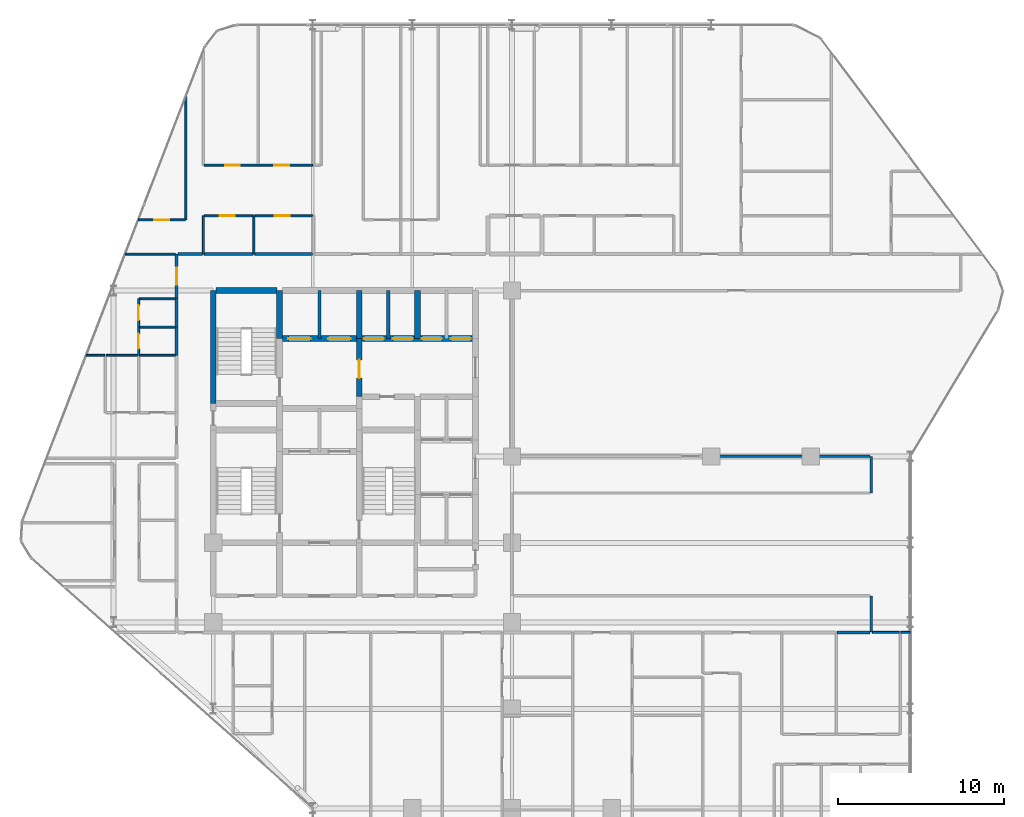
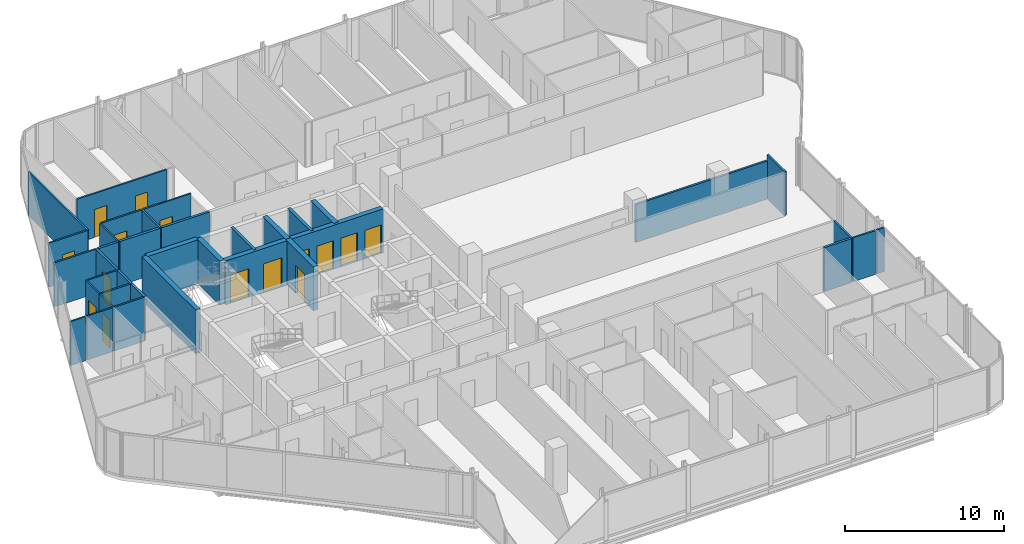
# One storey, part 27 of 30: 36 walls, 15 doors, 15 openings.
"""IFC4 building model written with IfcOpenShell, lengths in metres."""

from ifc_helpers import new_model, si_unit, direction, frame, frame_2d, origin, place, context, subcontext, project, spatial, rectangle, extrude, material, layer, layer_set, type_object, element, fill, save


model = new_model("IFC4")

# Units and contexts
model_context = context("Model", 3, precision=1e-05, world=origin(), true_north=direction((0.0, 1.0)))
body_context = subcontext(model_context, "Body", "Model", "MODEL_VIEW")
ifc_project = project(units=[si_unit("LENGTHUNIT", "METRE"), si_unit("AREAUNIT", "SQUARE_METRE"), si_unit("VOLUMEUNIT", "CUBIC_METRE"), si_unit("PLANEANGLEUNIT", "RADIAN"), si_unit("MASSUNIT", "GRAM", prefix="KILO")], contexts=[model_context])

# Site, building, storey
site_placement = place(None, origin())
site = spatial("IfcSite", under=ifc_project, at=site_placement, CompositionType="ELEMENT")
building_placement = place(site_placement, origin())
building = spatial("IfcBuilding", under=site, at=building_placement, Name="Keshet Zoharim Tower", CompositionType="ELEMENT")
storey_placement = place(building_placement, frame((0.0, 0.0, 113.10009765625)))
storey = spatial("IfcBuildingStorey", under=building, at=storey_placement, Name="L27", CompositionType="ELEMENT", Elevation=113.10009765625)

# Walls
ifc_material_1 = material(Name="Gypsum Plasterboard", Category="gypsum")
ifc_layer_1 = layer(ifc_material_1, 0.14990234375)
ifc_layer_set_1 = layer_set([ifc_layer_1], Name="Gypsum Plasterboard")
wall_type_1 = type_object("IfcWallType", Name="WL-CLIN-150", PredefinedType="STANDARD", material=ifc_layer_set_1)
wall_1_placement = place(storey_placement, frame((54.64990234375, 17.31005859375, 0.0), z_axis=(0.0, 0.0, 1.0), x_axis=(0.0, 1.0, 0.0)))
element("IfcWall", 1, at=wall_1_placement, inside=storey, type_object=wall_type_1, Name="L27 Interior Wall 109", PredefinedType="STANDARD", context=body_context, shape_type="SweptSolid", body=[
    extrude(rectangle(XDim=2.18994140625, YDim=0.14990234375, at=frame_2d((1.094970703125, 0.0))), origin(), (0.0, 0.0, 1.0), 3.385009765625),
])
wall_2_placement = place(storey_placement, frame((54.64990234375, 25.699951171875, 0.0), z_axis=(0.0, 0.0, 1.0), x_axis=(0.0, 1.0, 0.0)))
element("IfcWall", 2, at=wall_2_placement, inside=storey, type_object=wall_type_1, Name="L27 Interior Wall 110", PredefinedType="STANDARD", context=body_context, shape_type="SweptSolid", body=[
    extrude(rectangle(XDim=2.199951171875, YDim=0.14990234375, at=frame_2d((1.10009765625, 0.0))), origin(), (0.0, 0.0, 1.0), 3.385009765625),
])
wall_3_placement = place(storey_placement, frame((45.0, 27.89990234375, 0.0), z_axis=(0.0, 0.0, 1.0), x_axis=(1.0, 0.0, 0.0)))
element("IfcWall", 3, at=wall_3_placement, inside=storey, type_object=wall_type_1, Name="L27 Interior Wall 164 Part 2", PredefinedType="STANDARD", context=body_context, shape_type="SweptSolid", body=[
    extrude(rectangle(XDim=9.580078125, YDim=0.14990234375, at=frame_2d((4.7900390625, 0.0))), origin(), (0.0, 0.0, 1.0), 2.934814453125),
])
ifc_material_2 = material(Name="Concrete C60/75", Category="concrete")
ifc_layer_2 = layer(ifc_material_2, 0.35009765625)
ifc_layer_set_2 = layer_set([ifc_layer_2], Name="Concrete C60/75")
wall_type_2 = type_object("IfcWallType", Name="WL-CORE-350", PredefinedType="SHEAR", material=ifc_layer_set_2)
wall_4_placement = place(storey_placement, frame((15.0, 31.10009765625, 0.0), z_axis=(0.0, 0.0, 1.0), x_axis=(0.0, 1.0, 0.0)))
element("IfcWall", 4, at=wall_4_placement, inside=storey, type_object=wall_type_2, Name="L27 Core Shear Wall 022", PredefinedType="SHEAR", context=body_context, shape_type="SweptSolid", body=[
    extrude(rectangle(XDim=6.7998046875, YDim=0.35009765625, at=frame_2d((3.39990234375, 0.0))), origin(), (0.0, 0.0, 1.0), 3.385009765625),
])
wall_5_placement = place(storey_placement, frame((19.0, 35.0, 0.0), z_axis=(0.0, 0.0, 1.0), x_axis=(0.0, 1.0, 0.0)))
element("IfcWall", 5, at=wall_5_placement, inside=storey, type_object=wall_type_2, Name="L27 Core Shear Wall 033", PredefinedType="SHEAR", context=body_context, shape_type="SweptSolid", body=[
    extrude(rectangle(XDim=2.89990234375, YDim=0.35009765625, at=frame_2d((1.449951171875, 0.0))), origin(), (0.0, 0.0, 1.0), 3.385009765625),
])

# Wall, opening, door
wall_6_placement = place(storey_placement, frame((23.800048828125, 31.5, 0.0), z_axis=(0.0, 0.0, 1.0), x_axis=(0.0, 1.0, 0.0)))
wall_6 = element("IfcWall", 6, at=wall_6_placement, inside=storey, type_object=wall_type_2, Name="L27 Core Shear Wall 045", PredefinedType="SHEAR", context=body_context, shape_type="SweptSolid", body=[
    extrude(rectangle(XDim=3.5, YDim=0.35009765625, at=frame_2d((1.75, 0.0))), origin(), (0.0, 0.0, 1.0), 3.385009765625),
])
opening_1_placement = place(wall_6_placement, frame((1.126953125, 0.0, 0.0)))
opening_1 = element("IfcOpeningElement", 7, at=opening_1_placement, cuts=wall_6, Name="Opening D-F611", PredefinedType="OPENING", context=body_context, shape_type="SweptSolid", body=[
    extrude(rectangle(XDim=1.10009765625, YDim=2.14990234375, at=frame_2d((0.550048828125, 1.074951171875))), frame((0.0, 0.18505859375, 0.0), z_axis=(0.0, -1.0, 0.0), x_axis=(1.0, 0.0, 0.0)), (0.0, 0.0, 1.0), 0.3701171875),
])
ifc_material_3 = material(Name="Hardwood Timber", Category="wood")
door_type_1 = type_object("IfcDoorType", Name="DR-FD60-110", OperationType="NOTDEFINED", PredefinedType="DOOR", material=ifc_material_3)
door_1_placement = place(opening_1_placement, origin())
door_1 = element("IfcDoor", 8, at=door_1_placement, inside=storey, type_object=door_type_1, Name="L27 Firefighting Lobby Fire Door", OperationType="SINGLE_SWING_RIGHT", OverallHeight=2.14990234375, OverallWidth=1.10009765625, PredefinedType="DOOR", context=body_context, shape_type="SweptSolid", body=[
    extrude(rectangle(XDim=1.10009765625, YDim=2.14990234375, at=frame_2d((0.550048828125, 1.074951171875))), frame((0.0, 0.02490234375, 0.0), z_axis=(0.0, -1.0, 0.0), x_axis=(1.0, 0.0, 0.0)), (0.0, 0.0, 1.0), 0.050048828125),
])
fill(opening_1, door_1)

# Walls
for number, where, z_axis, x_axis, name in (
    (9, (23.800048828125, 35.0, 0.0), (0.0, 0.0, 1.0), (0.0, 1.0, 0.0), "L27 Core Shear Wall 046"),
    (10, (27.300048828125, 35.0, 0.0), (0.0, 0.0, 1.0), (0.0, 1.0, 0.0), "L27 Core Shear Wall 058"),
):
    element("IfcWall", number, at=place(storey_placement, frame(where, z_axis=z_axis, x_axis=x_axis)), inside=storey, type_object=wall_type_2, Name=name, PredefinedType="SHEAR", context=body_context, shape_type="SweptSolid", body=[
        extrude(rectangle(XDim=2.89990234375, YDim=0.35009765625, at=frame_2d((1.449951171875, 0.0))), origin(), (0.0, 0.0, 1.0), 3.385009765625),
    ])

# Wall, openings, doors
wall_7_placement = place(storey_placement, frame((19.159912109375, 35.0, 0.0), z_axis=(0.0, 0.0, 1.0), x_axis=(1.0, 0.0, 0.0)))
wall_7 = element("IfcWall", 11, at=wall_7_placement, inside=storey, type_object=wall_type_2, Name="L27 Core Shear Wall 178", PredefinedType="SHEAR", context=body_context, shape_type="SweptSolid", body=[
    extrude(rectangle(XDim=11.47998046875, YDim=0.35009765625, at=frame_2d((5.739990234375, 0.0))), origin(), (0.0, 0.0, 1.0), 3.385009765625),
])
opening_2_placement = place(wall_7_placement, frame((0.364990234375, 0.0, 0.0)))
opening_2 = element("IfcOpeningElement", 12, at=opening_2_placement, cuts=wall_7, Name="Opening LD-02", PredefinedType="OPENING", context=body_context, shape_type="SweptSolid", body=[
    extrude(rectangle(XDim=1.35009765625, YDim=2.199951171875, at=frame_2d((0.675048828125, 1.10009765625))), frame((0.0, 0.18505859375, 0.0), z_axis=(0.0, -1.0, 0.0), x_axis=(1.0, 0.0, 0.0)), (0.0, 0.0, 1.0), 0.3701171875),
])
opening_3_placement = place(wall_7_placement, frame((2.764892578125, 0.0, 0.0)))
opening_3 = element("IfcOpeningElement", 13, at=opening_3_placement, cuts=wall_7, Name="Opening LD-02", PredefinedType="OPENING", context=body_context, shape_type="SweptSolid", body=[
    extrude(rectangle(XDim=1.35009765625, YDim=2.199951171875, at=frame_2d((0.675048828125, 1.10009765625))), frame((0.0, 0.18505859375, 0.0), z_axis=(0.0, -1.0, 0.0), x_axis=(1.0, 0.0, 0.0)), (0.0, 0.0, 1.0), 0.3701171875),
])
opening_4_placement = place(wall_7_placement, frame((4.9150390625, 0.0, 0.0)))
opening_4 = element("IfcOpeningElement", 14, at=opening_4_placement, cuts=wall_7, Name="Opening LD-03", PredefinedType="OPENING", context=body_context, shape_type="SweptSolid", body=[
    extrude(rectangle(XDim=1.199951171875, YDim=2.199951171875, at=frame_2d((0.60009765625, 1.10009765625))), frame((0.0, 0.18505859375, 0.0), z_axis=(0.0, -1.0, 0.0), x_axis=(1.0, 0.0, 0.0)), (0.0, 0.0, 1.0), 0.3701171875),
])
opening_5_placement = place(wall_7_placement, frame((6.6650390625, 0.0, 0.0)))
opening_5 = element("IfcOpeningElement", 15, at=opening_5_placement, cuts=wall_7, Name="Opening LD-03", PredefinedType="OPENING", context=body_context, shape_type="SweptSolid", body=[
    extrude(rectangle(XDim=1.199951171875, YDim=2.199951171875, at=frame_2d((0.60009765625, 1.10009765625))), frame((0.0, 0.18505859375, 0.0), z_axis=(0.0, -1.0, 0.0), x_axis=(1.0, 0.0, 0.0)), (0.0, 0.0, 1.0), 0.3701171875),
])
opening_6_placement = place(wall_7_placement, frame((8.4150390625, 0.0, 0.0)))
opening_6 = element("IfcOpeningElement", 16, at=opening_6_placement, cuts=wall_7, Name="Opening LD-03", PredefinedType="OPENING", context=body_context, shape_type="SweptSolid", body=[
    extrude(rectangle(XDim=1.199951171875, YDim=2.199951171875, at=frame_2d((0.60009765625, 1.10009765625))), frame((0.0, 0.18505859375, 0.0), z_axis=(0.0, -1.0, 0.0), x_axis=(1.0, 0.0, 0.0)), (0.0, 0.0, 1.0), 0.3701171875),
])
opening_7_placement = place(wall_7_placement, frame((10.159912109375, 0.0, 0.0)))
opening_7 = element("IfcOpeningElement", 17, at=opening_7_placement, cuts=wall_7, Name="Opening LD-03", PredefinedType="OPENING", context=body_context, shape_type="SweptSolid", body=[
    extrude(rectangle(XDim=1.199951171875, YDim=2.199951171875, at=frame_2d((0.60009765625, 1.10009765625))), frame((0.0, 0.18505859375, 0.0), z_axis=(0.0, -1.0, 0.0), x_axis=(1.0, 0.0, 0.0)), (0.0, 0.0, 1.0), 0.3701171875),
])
ifc_material_4 = material(Name="Steel S355", Category="steel")
door_type_2 = type_object("IfcDoorType", Name="DR-LD02-135", OperationType="DOUBLE_DOOR_SLIDING", PredefinedType="DOOR", material=ifc_material_4)
door_2_placement = place(opening_2_placement, origin())
door_2 = element("IfcDoor", 18, at=door_2_placement, inside=storey, type_object=door_type_2, Name="L27 Firefighting Lift Landing Door FF-01", OperationType="DOUBLE_DOOR_SLIDING", OverallHeight=2.199951171875, OverallWidth=1.35009765625, PredefinedType="DOOR", context=body_context, shape_type="SweptSolid", body=[
    extrude(rectangle(XDim=1.35009765625, YDim=2.199951171875, at=frame_2d((0.675048828125, 1.10009765625))), frame((0.0, 0.02490234375, 0.0), z_axis=(0.0, -1.0, 0.0), x_axis=(1.0, 0.0, 0.0)), (0.0, 0.0, 1.0), 0.050048828125),
])
fill(opening_2, door_2)
door_3_placement = place(opening_3_placement, origin())
door_3 = element("IfcDoor", 19, at=door_3_placement, inside=storey, type_object=door_type_2, Name="L27 Firefighting Lift Landing Door FF-02", OperationType="DOUBLE_DOOR_SLIDING", OverallHeight=2.199951171875, OverallWidth=1.35009765625, PredefinedType="DOOR", context=body_context, shape_type="SweptSolid", body=[
    extrude(rectangle(XDim=1.35009765625, YDim=2.199951171875, at=frame_2d((0.675048828125, 1.10009765625))), frame((0.0, 0.02490234375, 0.0), z_axis=(0.0, -1.0, 0.0), x_axis=(1.0, 0.0, 0.0)), (0.0, 0.0, 1.0), 0.050048828125),
])
fill(opening_3, door_3)
door_type_3 = type_object("IfcDoorType", Name="DR-LD03-120", OperationType="DOUBLE_DOOR_SLIDING", PredefinedType="DOOR", material=ifc_material_4)
door_4_placement = place(opening_4_placement, origin())
door_4 = element("IfcDoor", 20, at=door_4_placement, inside=storey, type_object=door_type_3, Name="L27 Passenger Lift Landing Door LF-01", OperationType="DOUBLE_DOOR_SLIDING", OverallHeight=2.199951171875, OverallWidth=1.199951171875, PredefinedType="DOOR", context=body_context, shape_type="SweptSolid", body=[
    extrude(rectangle(XDim=1.199951171875, YDim=2.199951171875, at=frame_2d((0.60009765625, 1.10009765625))), frame((0.0, 0.02490234375, 0.0), z_axis=(0.0, -1.0, 0.0), x_axis=(1.0, 0.0, 0.0)), (0.0, 0.0, 1.0), 0.050048828125),
])
fill(opening_4, door_4)
door_5_placement = place(opening_5_placement, origin())
door_5 = element("IfcDoor", 21, at=door_5_placement, inside=storey, type_object=door_type_3, Name="L27 Passenger Lift Landing Door LF-02", OperationType="DOUBLE_DOOR_SLIDING", OverallHeight=2.199951171875, OverallWidth=1.199951171875, PredefinedType="DOOR", context=body_context, shape_type="SweptSolid", body=[
    extrude(rectangle(XDim=1.199951171875, YDim=2.199951171875, at=frame_2d((0.60009765625, 1.10009765625))), frame((0.0, 0.02490234375, 0.0), z_axis=(0.0, -1.0, 0.0), x_axis=(1.0, 0.0, 0.0)), (0.0, 0.0, 1.0), 0.050048828125),
])
fill(opening_5, door_5)
door_6_placement = place(opening_6_placement, origin())
door_6 = element("IfcDoor", 22, at=door_6_placement, inside=storey, type_object=door_type_3, Name="L27 Passenger Lift Landing Door LF-03", OperationType="DOUBLE_DOOR_SLIDING", OverallHeight=2.199951171875, OverallWidth=1.199951171875, PredefinedType="DOOR", context=body_context, shape_type="SweptSolid", body=[
    extrude(rectangle(XDim=1.199951171875, YDim=2.199951171875, at=frame_2d((0.60009765625, 1.10009765625))), frame((0.0, 0.02490234375, 0.0), z_axis=(0.0, -1.0, 0.0), x_axis=(1.0, 0.0, 0.0)), (0.0, 0.0, 1.0), 0.050048828125),
])
fill(opening_6, door_6)
door_7_placement = place(opening_7_placement, origin())
door_7 = element("IfcDoor", 23, at=door_7_placement, inside=storey, type_object=door_type_3, Name="L27 Passenger Lift Landing Door LF-04", OperationType="DOUBLE_DOOR_SLIDING", OverallHeight=2.199951171875, OverallWidth=1.199951171875, PredefinedType="DOOR", context=body_context, shape_type="SweptSolid", body=[
    extrude(rectangle(XDim=1.199951171875, YDim=2.199951171875, at=frame_2d((0.60009765625, 1.10009765625))), frame((0.0, 0.02490234375, 0.0), z_axis=(0.0, -1.0, 0.0), x_axis=(1.0, 0.0, 0.0)), (0.0, 0.0, 1.0), 0.050048828125),
])
fill(opening_7, door_7)

# Walls
wall_8_placement = place(storey_placement, frame((15.159912109375, 37.89990234375, 0.0), z_axis=(0.0, 0.0, 1.0), x_axis=(1.0, 0.0, 0.0)))
element("IfcWall", 24, at=wall_8_placement, inside=storey, type_object=wall_type_2, Name="L27 Core Shear Wall 181", PredefinedType="SHEAR", context=body_context, shape_type="SweptSolid", body=[
    extrude(rectangle(XDim=3.68017578125, YDim=0.35009765625, at=frame_2d((1.840087890625, 0.0))), origin(), (0.0, 0.0, 1.0), 3.385009765625),
])
ifc_layer_3 = layer(ifc_material_1, 0.179931640625)
ifc_layer_set_3 = layer_set([ifc_layer_3], Name="Gypsum Plasterboard")
wall_type_3 = type_object("IfcWallType", Name="WL-CORR-180", PredefinedType="STANDARD", material=ifc_layer_set_3)
for number, where, z_axis, x_axis, name in (
    (25, (12.800048828125, 34.0, 0.0), (0.0, 0.0, 1.0), (0.0, 1.0, 0.0), "L27 Interior Wall 013"),
    (26, (12.800048828125, 35.7080078125, 0.0), (0.0, 0.0, 1.0), (0.0, 1.0, 0.0), "L27 Interior Wall 014"),
):
    element("IfcWall", number, at=place(storey_placement, frame(where, z_axis=z_axis, x_axis=x_axis)), inside=storey, type_object=wall_type_3, Name=name, PredefinedType="STANDARD", context=body_context, shape_type="SweptSolid", body=[
        extrude(rectangle(XDim=1.7080078125, YDim=0.179931640625, at=frame_2d((0.85400390625, 0.0))), origin(), (0.0, 0.0, 1.0), 3.385009765625),
    ])

# Wall, opening, door
wall_9_placement = place(storey_placement, frame((12.800048828125, 37.416015625, 0.0), z_axis=(0.0, 0.0, 1.0), x_axis=(0.0, 1.0, 0.0)))
wall_9 = element("IfcWall", 27, at=wall_9_placement, inside=storey, type_object=wall_type_3, Name="L27 Interior Wall 015", PredefinedType="STANDARD", context=body_context, shape_type="SweptSolid", body=[
    extrude(rectangle(XDim=2.68408203125, YDim=0.179931640625, at=frame_2d((1.342041015625, 0.0))), origin(), (0.0, 0.0, 1.0), 3.385009765625),
])
opening_8_placement = place(wall_9_placement, frame((0.842041015625, 0.0, 0.0)))
opening_8 = element("IfcOpeningElement", 28, at=opening_8_placement, cuts=wall_9, Name="Opening D-F310", PredefinedType="OPENING", context=body_context, shape_type="SweptSolid", body=[
    extrude(rectangle(XDim=1.0, YDim=2.14990234375, at=frame_2d((0.5, 1.074951171875))), frame((0.0, 0.10009765625, 0.0), z_axis=(0.0, -1.0, 0.0), x_axis=(1.0, 0.0, 0.0)), (0.0, 0.0, 1.0), 0.199951171875),
])
door_type_4 = type_object("IfcDoorType", Name="DR-FD30-100", OperationType="NOTDEFINED", PredefinedType="DOOR", material=ifc_material_3)
door_8_placement = place(opening_8_placement, origin())
door_8 = element("IfcDoor", 29, at=door_8_placement, inside=storey, type_object=door_type_4, Name="Apartment 2711 Entrance Door", OperationType="SINGLE_SWING_LEFT", OverallHeight=2.14990234375, OverallWidth=1.0, PredefinedType="DOOR", context=body_context, shape_type="SweptSolid", body=[
    extrude(rectangle(XDim=1.0, YDim=2.14990234375, at=frame_2d((0.5, 1.074951171875))), frame((0.0, 0.02490234375, 0.0), z_axis=(0.0, -1.0, 0.0), x_axis=(1.0, 0.0, 0.0)), (0.0, 0.0, 1.0), 0.050048828125),
])
fill(opening_8, door_8)

# Walls
wall_10_placement = place(storey_placement, frame((52.590087890625, 17.300048828125, 0.0), z_axis=(0.0, 0.0, 1.0), x_axis=(1.0, 0.0, 0.0)))
element("IfcWall", 30, at=wall_10_placement, inside=storey, type_object=wall_type_3, Name="L27 Interior Wall 140", PredefinedType="STANDARD", context=body_context, shape_type="SweptSolid", body=[
    extrude(rectangle(XDim=1.989990234375, YDim=0.179931640625, at=frame_2d((0.9951171875, 0.0))), origin(), (0.0, 0.0, 1.0), 3.385009765625),
])
wall_11_placement = place(storey_placement, frame((12.875, 40.10009765625, 0.0), z_axis=(0.0, 0.0, 1.0), x_axis=(1.0, 0.0, 0.0)))
element("IfcWall", 31, at=wall_11_placement, inside=storey, type_object=wall_type_3, Name="L27 Interior Wall 185", PredefinedType="STANDARD", context=body_context, shape_type="SweptSolid", body=[
    extrude(rectangle(XDim=1.47998046875, YDim=0.179931640625, at=frame_2d((0.739990234375, 0.0))), origin(), (0.0, 0.0, 1.0), 3.385009765625),
])
wall_12_placement = place(storey_placement, frame((14.445068359375, 40.10009765625, 0.0), z_axis=(0.0, 0.0, 1.0), x_axis=(1.0, 0.0, 0.0)))
element("IfcWall", 32, at=wall_12_placement, inside=storey, type_object=wall_type_3, Name="L27 Interior Wall 186", PredefinedType="STANDARD", context=body_context, shape_type="SweptSolid", body=[
    extrude(rectangle(XDim=2.9599609375, YDim=0.179931640625, at=frame_2d((1.47998046875, 0.0))), origin(), (0.0, 0.0, 1.0), 3.385009765625),
])
wall_13_placement = place(storey_placement, frame((17.4951171875, 40.10009765625, 0.0), z_axis=(0.0, 0.0, 1.0), x_axis=(1.0, 0.0, 0.0)))
element("IfcWall", 33, at=wall_13_placement, inside=storey, type_object=wall_type_3, Name="L27 Interior Wall 187", PredefinedType="STANDARD", context=body_context, shape_type="SweptSolid", body=[
    extrude(rectangle(XDim=3.489990234375, YDim=0.179931640625, at=frame_2d((1.7451171875, 0.0))), origin(), (0.0, 0.0, 1.0), 3.385009765625),
])
ifc_material_5 = material(Name="Concrete C50/60", Category="concrete")
ifc_layer_4 = layer(ifc_material_5, 0.199951171875)
ifc_layer_set_4 = layer_set([ifc_layer_4], Name="Concrete C50/60")
wall_type_4 = type_object("IfcWallType", Name="WL-FIRE-200", PredefinedType="STANDARD", material=ifc_layer_set_4)
for number, where, z_axis, x_axis, name in (
    (34, (21.39990234375, 35.0, 0.0), (0.0, 0.0, 1.0), (0.0, 1.0, 0.0), "L27 Interior Wall 038"),
    (35, (25.550048828125, 35.0, 0.0), (0.0, 0.0, 1.0), (0.0, 1.0, 0.0), "L27 Interior Wall 049"),
):
    element("IfcWall", number, at=place(storey_placement, frame(where, z_axis=z_axis, x_axis=x_axis)), inside=storey, type_object=wall_type_4, Name=name, PredefinedType="STANDARD", context=body_context, shape_type="SweptSolid", body=[
        extrude(rectangle(XDim=2.89990234375, YDim=0.199951171875, at=frame_2d((1.449951171875, 0.0))), origin(), (0.0, 0.0, 1.0), 3.385009765625),
    ])

# Wall, opening, door
ifc_layer_5 = layer(ifc_material_1, 0.1201171875)
ifc_layer_set_5 = layer_set([ifc_layer_5], Name="Gypsum Plasterboard")
wall_type_5 = type_object("IfcWallType", Name="WL-PART-120", PredefinedType="PARTITIONING", material=ifc_layer_set_5)
wall_14_placement = place(storey_placement, frame((10.5, 34.0, 0.0), z_axis=(0.0, 0.0, 1.0), x_axis=(0.0, 1.0, 0.0)))
wall_14 = element("IfcWall", 36, at=wall_14_placement, inside=storey, type_object=wall_type_5, Name="L27 Interior Wall 004", PredefinedType="PARTITIONING", context=body_context, shape_type="SweptSolid", body=[
    extrude(rectangle(XDim=1.7080078125, YDim=0.1201171875, at=frame_2d((0.85400390625, 0.0))), origin(), (0.0, 0.0, 1.0), 3.385009765625),
])
opening_9_placement = place(wall_14_placement, frame((0.404052734375, 0.0, 0.0)))
opening_9 = element("IfcOpeningElement", 37, at=opening_9_placement, cuts=wall_14, Name="Opening D-IN90", PredefinedType="OPENING", context=body_context, shape_type="SweptSolid", body=[
    extrude(rectangle(XDim=0.89990234375, YDim=2.14990234375, at=frame_2d((0.449951171875, 1.074951171875))), frame((0.0, 0.070068359375, 0.0), z_axis=(0.0, -1.0, 0.0), x_axis=(1.0, 0.0, 0.0)), (0.0, 0.0, 1.0), 0.14013671875),
])
door_type_5 = type_object("IfcDoorType", Name="DR-INT-090", OperationType="NOTDEFINED", PredefinedType="DOOR", material=ifc_material_3)
door_9_placement = place(opening_9_placement, origin())
door_9 = element("IfcDoor", 38, at=door_9_placement, inside=storey, type_object=door_type_5, Name="Apartment 2711 Kitchenette Door", OperationType="SINGLE_SWING_LEFT", OverallHeight=2.14990234375, OverallWidth=0.89990234375, PredefinedType="DOOR", context=body_context, shape_type="SweptSolid", body=[
    extrude(rectangle(XDim=0.89990234375, YDim=2.14990234375, at=frame_2d((0.449951171875, 1.074951171875))), frame((0.0, 0.02490234375, 0.0), z_axis=(0.0, -1.0, 0.0), x_axis=(1.0, 0.0, 0.0)), (0.0, 0.0, 1.0), 0.050048828125),
])
fill(opening_9, door_9)

# Walls
wall_15_placement = place(storey_placement, frame((13.35009765625, 42.14990234375, 0.0), z_axis=(0.0, 0.0, 1.0), x_axis=(0.0, 1.0, 0.0)))
element("IfcWall", 39, at=wall_15_placement, inside=storey, type_object=wall_type_5, Name="L27 Interior Wall 016", PredefinedType="PARTITIONING", context=body_context, shape_type="SweptSolid", body=[
    extrude(rectangle(XDim=7.4501953125, YDim=0.1201171875, at=frame_2d((3.72509765625, 0.0))), origin(), (0.0, 0.0, 1.0), 3.385009765625),
])
wall_16_placement = place(storey_placement, frame((14.39990234375, 40.10009765625, 0.0), z_axis=(0.0, 0.0, 1.0), x_axis=(0.0, 1.0, 0.0)))
element("IfcWall", 40, at=wall_16_placement, inside=storey, type_object=wall_type_5, Name="L27 Interior Wall 017", PredefinedType="PARTITIONING", context=body_context, shape_type="SweptSolid", body=[
    extrude(rectangle(XDim=2.2998046875, YDim=0.1201171875, at=frame_2d((1.14990234375, 0.0))), origin(), (0.0, 0.0, 1.0), 3.385009765625),
])
wall_17_placement = place(storey_placement, frame((56.43505859375, 17.300048828125, 0.0), z_axis=(0.0, 0.0, 1.0), x_axis=(1.0, 0.0, 0.0)))
element("IfcWall", 41, at=wall_17_placement, inside=storey, type_object=wall_type_5, Name="L27 Interior Wall 142", PredefinedType="PARTITIONING", context=body_context, shape_type="SweptSolid", body=[
    extrude(rectangle(XDim=0.554931640625, YDim=0.1201171875, at=frame_2d((0.27734375, 0.0))), origin(), (0.0, 0.0, 1.0), 3.385009765625),
])
wall_18_placement = place(storey_placement, frame((7.35595703125, 34.0, 0.0), z_axis=(0.0, 0.0, 1.0), x_axis=(1.0, 0.0, 0.0)))
element("IfcWall", 42, at=wall_18_placement, inside=storey, type_object=wall_type_5, Name="L27 Interior Wall 175", PredefinedType="PARTITIONING", context=body_context, shape_type="SweptSolid", body=[
    extrude(rectangle(XDim=1.09912109375, YDim=0.1201171875, at=frame_2d((0.549560546875, 0.0))), origin(), (0.0, 0.0, 1.0), 3.385009765625),
])
wall_19_placement = place(storey_placement, frame((8.544921875, 34.0, 0.0), z_axis=(0.0, 0.0, 1.0), x_axis=(1.0, 0.0, 0.0)))
element("IfcWall", 43, at=wall_19_placement, inside=storey, type_object=wall_type_5, Name="L27 Interior Wall 176", PredefinedType="PARTITIONING", context=body_context, shape_type="SweptSolid", body=[
    extrude(rectangle(XDim=1.88818359375, YDim=0.1201171875, at=frame_2d((0.944091796875, 0.0))), origin(), (0.0, 0.0, 1.0), 3.385009765625),
])
wall_20_placement = place(storey_placement, frame((9.701904296875, 40.10009765625, 0.0), z_axis=(0.0, 0.0, 1.0), x_axis=(1.0, 0.0, 0.0)))
element("IfcWall", 44, at=wall_20_placement, inside=storey, type_object=wall_type_5, Name="L27 Interior Wall 184", PredefinedType="PARTITIONING", context=body_context, shape_type="SweptSolid", body=[
    extrude(rectangle(XDim=3.023193359375, YDim=0.1201171875, at=frame_2d((1.51171875, 0.0))), origin(), (0.0, 0.0, 1.0), 3.385009765625),
])

# Wall, opening, door
wall_21_placement = place(storey_placement, frame((10.490966796875, 42.14990234375, 0.0), z_axis=(0.0, 0.0, 1.0), x_axis=(1.0, 0.0, 0.0)))
wall_21 = element("IfcWall", 45, at=wall_21_placement, inside=storey, type_object=wall_type_5, Name="L27 Interior Wall 198", PredefinedType="PARTITIONING", context=body_context, shape_type="SweptSolid", body=[
    extrude(rectangle(XDim=2.828125, YDim=0.1201171875, at=frame_2d((1.4140625, 0.0))), origin(), (0.0, 0.0, 1.0), 3.385009765625),
])
opening_10_placement = place(wall_21_placement, frame((0.962890625, 0.0, 0.0)))
opening_10 = element("IfcOpeningElement", 46, at=opening_10_placement, cuts=wall_21, Name="Opening D-IN90", PredefinedType="OPENING", context=body_context, shape_type="SweptSolid", body=[
    extrude(rectangle(XDim=0.89990234375, YDim=2.14990234375, at=frame_2d((0.449951171875, 1.074951171875))), frame((0.0, 0.070068359375, 0.0), z_axis=(0.0, -1.0, 0.0), x_axis=(1.0, 0.0, 0.0)), (0.0, 0.0, 1.0), 0.14013671875),
])
door_10_placement = place(opening_10_placement, origin())
door_10 = element("IfcDoor", 47, at=door_10_placement, inside=storey, type_object=door_type_5, Name="Apartment 2705 Home Study Room Door", OperationType="SINGLE_SWING_RIGHT", OverallHeight=2.14990234375, OverallWidth=0.89990234375, PredefinedType="DOOR", context=body_context, shape_type="SweptSolid", body=[
    extrude(rectangle(XDim=0.89990234375, YDim=2.14990234375, at=frame_2d((0.449951171875, 1.074951171875))), frame((0.0, 0.02490234375, 0.0), z_axis=(0.0, -1.0, 0.0), x_axis=(1.0, 0.0, 0.0)), (0.0, 0.0, 1.0), 0.050048828125),
])
fill(opening_10, door_10)

wall_22_placement = place(storey_placement, frame((14.445068359375, 42.39990234375, 0.0), z_axis=(0.0, 0.0, 1.0), x_axis=(1.0, 0.0, 0.0)))
wall_22 = element("IfcWall", 48, at=wall_22_placement, inside=storey, type_object=wall_type_5, Name="L27 Interior Wall 200", PredefinedType="PARTITIONING", context=body_context, shape_type="SweptSolid", body=[
    extrude(rectangle(XDim=2.9599609375, YDim=0.1201171875, at=frame_2d((1.47998046875, 0.0))), origin(), (0.0, 0.0, 1.0), 3.385009765625),
])
opening_11_placement = place(wall_22_placement, frame((0.9560546875, 0.0, 0.0)))
opening_11 = element("IfcOpeningElement", 49, at=opening_11_placement, cuts=wall_22, Name="Opening D-IN90", PredefinedType="OPENING", context=body_context, shape_type="SweptSolid", body=[
    extrude(rectangle(XDim=0.89990234375, YDim=2.14990234375, at=frame_2d((0.449951171875, 1.074951171875))), frame((0.0, 0.070068359375, 0.0), z_axis=(0.0, -1.0, 0.0), x_axis=(1.0, 0.0, 0.0)), (0.0, 0.0, 1.0), 0.14013671875),
])
door_11_placement = place(opening_11_placement, origin())
door_11 = element("IfcDoor", 50, at=door_11_placement, inside=storey, type_object=door_type_5, Name="Apartment 2705 Kitchen Door", OperationType="SINGLE_SWING_LEFT", OverallHeight=2.14990234375, OverallWidth=0.89990234375, PredefinedType="DOOR", context=body_context, shape_type="SweptSolid", body=[
    extrude(rectangle(XDim=0.89990234375, YDim=2.14990234375, at=frame_2d((0.449951171875, 1.074951171875))), frame((0.0, 0.02490234375, 0.0), z_axis=(0.0, -1.0, 0.0), x_axis=(1.0, 0.0, 0.0)), (0.0, 0.0, 1.0), 0.050048828125),
])
fill(opening_11, door_11)

# Wall, openings, doors
wall_23_placement = place(storey_placement, frame((14.445068359375, 45.449951171875, 0.0), z_axis=(0.0, 0.0, 1.0), x_axis=(1.0, 0.0, 0.0)))
wall_23 = element("IfcWall", 51, at=wall_23_placement, inside=storey, type_object=wall_type_5, Name="L27 Interior Wall 209", PredefinedType="PARTITIONING", context=body_context, shape_type="SweptSolid", body=[
    extrude(rectangle(XDim=6.5400390625, YDim=0.1201171875, at=frame_2d((3.27001953125, 0.0))), origin(), (0.0, 0.0, 1.0), 3.385009765625),
])
opening_12_placement = place(wall_23_placement, frame((1.26611328125, 0.0, 0.0)))
opening_12 = element("IfcOpeningElement", 52, at=opening_12_placement, cuts=wall_23, Name="Opening D-IN90", PredefinedType="OPENING", context=body_context, shape_type="SweptSolid", body=[
    extrude(rectangle(XDim=0.89990234375, YDim=2.14990234375, at=frame_2d((0.449951171875, 1.074951171875))), frame((0.0, 0.070068359375, 0.0), z_axis=(0.0, -1.0, 0.0), x_axis=(1.0, 0.0, 0.0)), (0.0, 0.0, 1.0), 0.14013671875),
])
opening_13_placement = place(wall_23_placement, frame((4.23095703125, 0.0, 0.0)))
opening_13 = element("IfcOpeningElement", 53, at=opening_13_placement, cuts=wall_23, Name="Opening D-IN90", PredefinedType="OPENING", context=body_context, shape_type="SweptSolid", body=[
    extrude(rectangle(XDim=0.89990234375, YDim=2.14990234375, at=frame_2d((0.449951171875, 1.074951171875))), frame((0.0, 0.070068359375, 0.0), z_axis=(0.0, -1.0, 0.0), x_axis=(1.0, 0.0, 0.0)), (0.0, 0.0, 1.0), 0.14013671875),
])
door_12_placement = place(opening_12_placement, origin())
door_12 = element("IfcDoor", 54, at=door_12_placement, inside=storey, type_object=door_type_5, Name="Apartment 2705 Bedroom 1 Door", OperationType="SINGLE_SWING_RIGHT", OverallHeight=2.14990234375, OverallWidth=0.89990234375, PredefinedType="DOOR", context=body_context, shape_type="SweptSolid", body=[
    extrude(rectangle(XDim=0.89990234375, YDim=2.14990234375, at=frame_2d((0.449951171875, 1.074951171875))), frame((0.0, 0.02490234375, 0.0), z_axis=(0.0, -1.0, 0.0), x_axis=(1.0, 0.0, 0.0)), (0.0, 0.0, 1.0), 0.050048828125),
])
fill(opening_12, door_12)
door_13_placement = place(opening_13_placement, origin())
door_13 = element("IfcDoor", 55, at=door_13_placement, inside=storey, type_object=door_type_5, Name="Apartment 2705 Bedroom 2 Door", OperationType="SINGLE_SWING_LEFT", OverallHeight=2.14990234375, OverallWidth=0.89990234375, PredefinedType="DOOR", context=body_context, shape_type="SweptSolid", body=[
    extrude(rectangle(XDim=0.89990234375, YDim=2.14990234375, at=frame_2d((0.449951171875, 1.074951171875))), frame((0.0, 0.02490234375, 0.0), z_axis=(0.0, -1.0, 0.0), x_axis=(1.0, 0.0, 0.0)), (0.0, 0.0, 1.0), 0.050048828125),
])
fill(opening_13, door_13)

# Wall, opening, door
ifc_layer_6 = layer(ifc_material_1, 0.1201171875)
ifc_layer_set_6 = layer_set([ifc_layer_6], Name="Gypsum Plasterboard")
wall_type_6 = type_object("IfcWallType", Name="WL-WET-120", PredefinedType="PARTITIONING", material=ifc_layer_set_6)
wall_24_placement = place(storey_placement, frame((10.5, 35.7080078125, 0.0), z_axis=(0.0, 0.0, 1.0), x_axis=(0.0, 1.0, 0.0)))
wall_24 = element("IfcWall", 56, at=wall_24_placement, inside=storey, type_object=wall_type_6, Name="L27 Interior Wall 005", PredefinedType="PARTITIONING", context=body_context, shape_type="SweptSolid", body=[
    extrude(rectangle(XDim=1.7080078125, YDim=0.1201171875, at=frame_2d((0.85400390625, 0.0))), origin(), (0.0, 0.0, 1.0), 3.385009765625),
])
opening_14_placement = place(wall_24_placement, frame((0.404052734375, 0.0, 0.0)))
opening_14 = element("IfcOpeningElement", 57, at=opening_14_placement, cuts=wall_24, Name="Opening D-WT90", PredefinedType="OPENING", context=body_context, shape_type="SweptSolid", body=[
    extrude(rectangle(XDim=0.89990234375, YDim=2.10009765625, at=frame_2d((0.449951171875, 1.050048828125))), frame((0.0, 0.070068359375, 0.0), z_axis=(0.0, -1.0, 0.0), x_axis=(1.0, 0.0, 0.0)), (0.0, 0.0, 1.0), 0.14013671875),
])
door_type_6 = type_object("IfcDoorType", Name="DR-WET-090", OperationType="NOTDEFINED", PredefinedType="DOOR", material=ifc_material_3)
door_14_placement = place(opening_14_placement, origin())
door_14 = element("IfcDoor", 58, at=door_14_placement, inside=storey, type_object=door_type_6, Name="Apartment 2711 Bathroom Door", OperationType="SINGLE_SWING_RIGHT", OverallHeight=2.10009765625, OverallWidth=0.89990234375, PredefinedType="DOOR", context=body_context, shape_type="SweptSolid", body=[
    extrude(rectangle(XDim=0.89990234375, YDim=2.10009765625, at=frame_2d((0.449951171875, 1.050048828125))), frame((0.0, 0.02490234375, 0.0), z_axis=(0.0, -1.0, 0.0), x_axis=(1.0, 0.0, 0.0)), (0.0, 0.0, 1.0), 0.050048828125),
])
fill(opening_14, door_14)

# Walls
wall_25_placement = place(storey_placement, frame((17.449951171875, 40.10009765625, 0.0), z_axis=(0.0, 0.0, 1.0), x_axis=(0.0, 1.0, 0.0)))
element("IfcWall", 59, at=wall_25_placement, inside=storey, type_object=wall_type_6, Name="L27 Interior Wall 025", PredefinedType="PARTITIONING", context=body_context, shape_type="SweptSolid", body=[
    extrude(rectangle(XDim=2.2998046875, YDim=0.1201171875, at=frame_2d((1.14990234375, 0.0))), origin(), (0.0, 0.0, 1.0), 3.385009765625),
])
wall_26_placement = place(storey_placement, frame((54.7099609375, 17.300048828125, 0.0), z_axis=(0.0, 0.0, 1.0), x_axis=(1.0, 0.0, 0.0)))
element("IfcWall", 60, at=wall_26_placement, inside=storey, type_object=wall_type_6, Name="L27 Interior Wall 141", PredefinedType="PARTITIONING", context=body_context, shape_type="SweptSolid", body=[
    extrude(rectangle(XDim=1.635009765625, YDim=0.1201171875, at=frame_2d((0.8173828125, 0.0))), origin(), (0.0, 0.0, 1.0), 3.385009765625),
])
for number, where, z_axis, x_axis, name in (
    (61, (10.544921875, 34.0, 0.0), (0.0, 0.0, 1.0), (1.0, 0.0, 0.0), "L27 Interior Wall 177"),
    (62, (10.544921875, 35.699951171875, 0.0), (0.0, 0.0, 1.0), (1.0, 0.0, 0.0), "L27 Interior Wall 179"),
    (63, (10.544921875, 37.39990234375, 0.0), (0.0, 0.0, 1.0), (1.0, 0.0, 0.0), "L27 Interior Wall 180"),
):
    element("IfcWall", number, at=place(storey_placement, frame(where, z_axis=z_axis, x_axis=x_axis)), inside=storey, type_object=wall_type_6, Name=name, PredefinedType="PARTITIONING", context=body_context, shape_type="SweptSolid", body=[
        extrude(rectangle(XDim=2.18017578125, YDim=0.1201171875, at=frame_2d((1.090087890625, 0.0))), origin(), (0.0, 0.0, 1.0), 3.385009765625),
    ])

# Wall, opening, door
wall_27_placement = place(storey_placement, frame((17.4951171875, 42.39990234375, 0.0), z_axis=(0.0, 0.0, 1.0), x_axis=(1.0, 0.0, 0.0)))
wall_27 = element("IfcWall", 64, at=wall_27_placement, inside=storey, type_object=wall_type_6, Name="L27 Interior Wall 201", PredefinedType="PARTITIONING", context=body_context, shape_type="SweptSolid", body=[
    extrude(rectangle(XDim=3.489990234375, YDim=0.1201171875, at=frame_2d((1.7451171875, 0.0))), origin(), (0.0, 0.0, 1.0), 3.385009765625),
])
opening_15_placement = place(wall_27_placement, frame((1.222900390625, 0.0, 0.0)))
opening_15 = element("IfcOpeningElement", 65, at=opening_15_placement, cuts=wall_27, Name="Opening D-WT90", PredefinedType="OPENING", context=body_context, shape_type="SweptSolid", body=[
    extrude(rectangle(XDim=0.89990234375, YDim=2.10009765625, at=frame_2d((0.449951171875, 1.050048828125))), frame((0.0, 0.070068359375, 0.0), z_axis=(0.0, -1.0, 0.0), x_axis=(1.0, 0.0, 0.0)), (0.0, 0.0, 1.0), 0.14013671875),
])
door_15_placement = place(opening_15_placement, origin())
door_15 = element("IfcDoor", 66, at=door_15_placement, inside=storey, type_object=door_type_6, Name="Apartment 2705 Bathroom Door", OperationType="SINGLE_SWING_RIGHT", OverallHeight=2.10009765625, OverallWidth=0.89990234375, PredefinedType="DOOR", context=body_context, shape_type="SweptSolid", body=[
    extrude(rectangle(XDim=0.89990234375, YDim=2.10009765625, at=frame_2d((0.449951171875, 1.050048828125))), frame((0.0, 0.02490234375, 0.0), z_axis=(0.0, -1.0, 0.0), x_axis=(1.0, 0.0, 0.0)), (0.0, 0.0, 1.0), 0.050048828125),
])
fill(opening_15, door_15)

save(model, "model.ifc")
